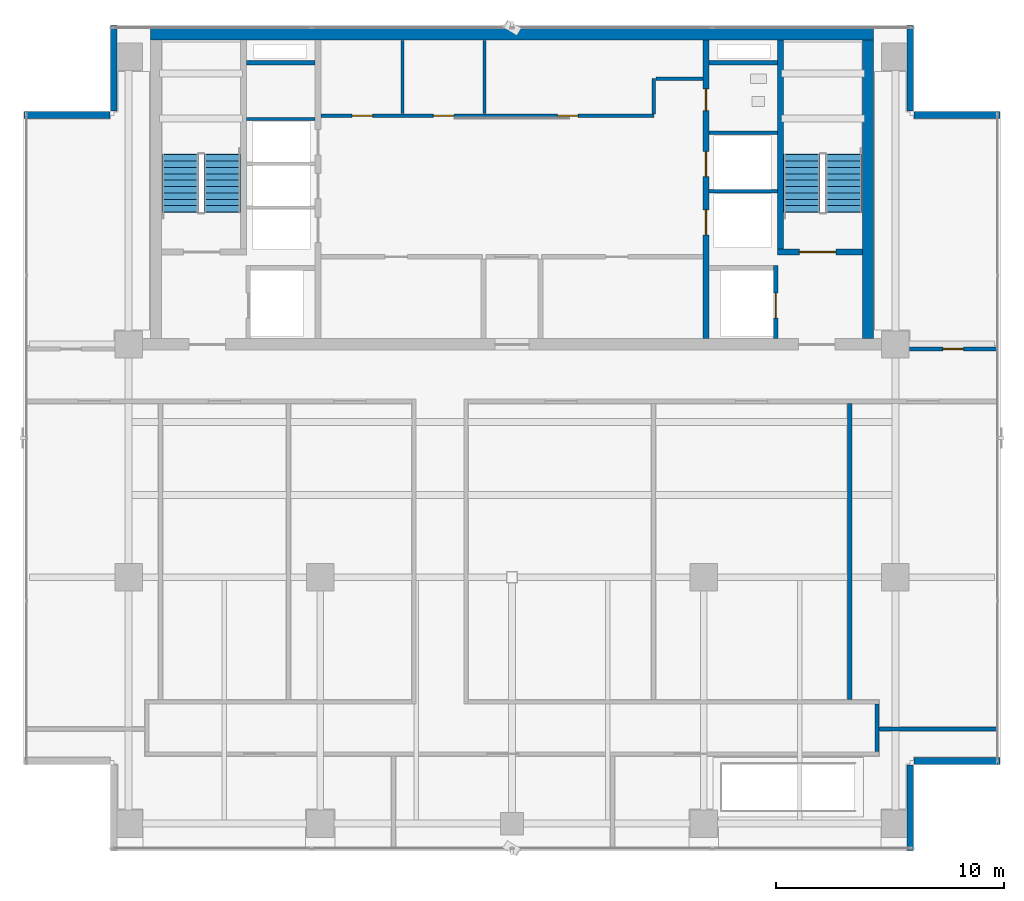
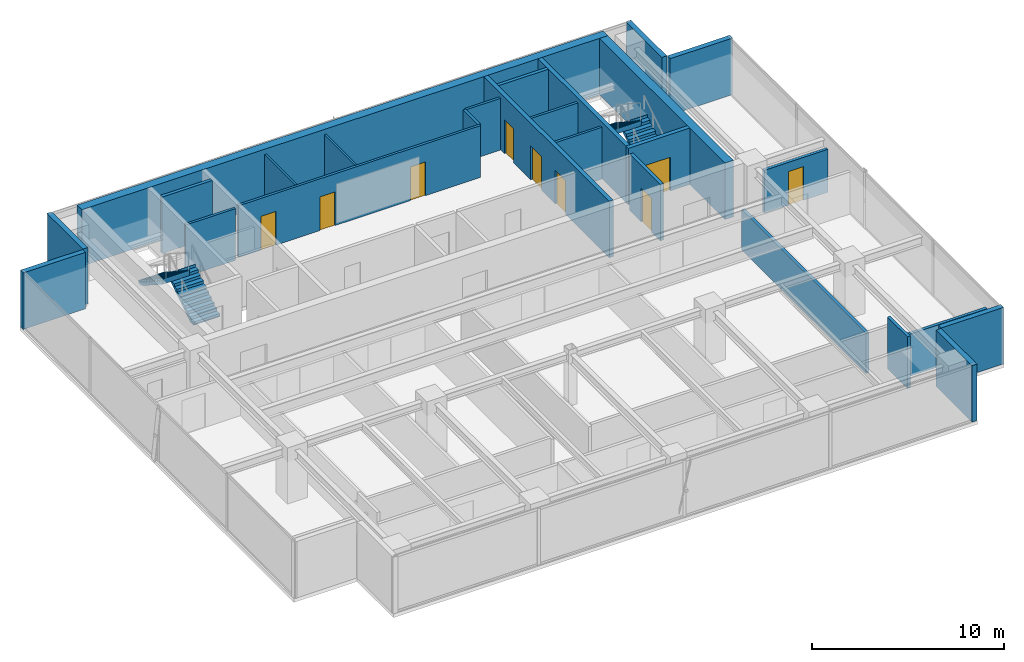
# One storey, part 16 of 21: 26 walls, 9 doors, 4 stair flights, 9 openings, 2 elements without a shape of their own.
"""IFC4 building model written with IfcOpenShell, lengths in metres."""

from ifc_helpers import new_model, si_unit, direction, frame, frame_2d, origin, place, context, subcontext, project, spatial, polyline, rectangle, outline, extrude, source, transform, mapped, material, layer, layer_set, type_object, element, fill, aggregate, save


model = new_model("IFC4")

# Units and contexts
model_context = context("Model", 3, precision=1e-05, world=origin(), true_north=direction((0.0, 1.0)))
body_context = subcontext(model_context, "Body", "Model", "MODEL_VIEW")
ifc_project = project(units=[si_unit("LENGTHUNIT", "METRE"), si_unit("AREAUNIT", "SQUARE_METRE"), si_unit("VOLUMEUNIT", "CUBIC_METRE"), si_unit("PLANEANGLEUNIT", "RADIAN"), si_unit("MASSUNIT", "GRAM", prefix="KILO")], contexts=[model_context])

# Site, building, storey
site_placement = place(None, origin())
site = spatial("IfcSite", under=ifc_project, at=site_placement, CompositionType="ELEMENT")
building_placement = place(site_placement, origin())
building = spatial("IfcBuilding", under=site, at=building_placement, Name="Sumidabori Civic Tower", CompositionType="ELEMENT")
storey_placement = place(building_placement, frame((0.0, 0.0, 290.0)))
storey = spatial("IfcBuildingStorey", under=building, at=storey_placement, Name="L76", CompositionType="ELEMENT", Elevation=290.0)

# Walls
ifc_material_1 = material(Name="Concrete C50/60", Category="concrete")
ifc_layer_1 = layer(ifc_material_1, 0.199951171875, Name="Concrete C50/60")
ifc_layer_set_1 = layer_set([ifc_layer_1], Name="Concrete C50/60")
wall_type_1 = type_object("IfcWallType", Name="WL-SHAFT-200", PredefinedType="SHEAR", material=ifc_layer_set_1)
shared_shape_1 = source(origin(), body_context, "Body", "SweptSolid", [
    extrude(rectangle(XDim=3.02001953125, YDim=0.199951171875, at=frame_2d((1.510009765625, 0.0))), origin(), (0.0, 0.0, 1.0), 3.60009765625),
])
for number, where, z_axis, x_axis, name in (
    (1, (-11.64501953125, 22.550048828125, 0.0), (0.0, 0.0, 1.0), (1.0, 0.0, 0.0), "Core Shear Wall L76 RIS1-S"),
    (2, (8.625, 22.550048828125, 0.0), (0.0, 0.0, 1.0), (1.0, 0.0, 0.0), "Core Shear Wall L76 RIS2-S"),
):
    element("IfcWall", number, at=place(storey_placement, frame(where, z_axis=z_axis, x_axis=x_axis)), inside=storey, type_object=wall_type_1, Name=name, PredefinedType="SHEAR", context=body_context, shape_type="MappedRepresentation", body=[
        mapped(shared_shape_1, transform((0.0, 0.0, 0.0), x_axis=(1.0, 0.0, 0.0), y_axis=(0.0, 1.0, 0.0), z_axis=(0.0, 0.0, 1.0), scale=1.0)),
    ])
ifc_layer_2 = layer(ifc_material_1, 0.5, Name="Concrete C50/60")
ifc_layer_set_2 = layer_set([ifc_layer_2], Name="Concrete C50/60")
wall_type_2 = type_object("IfcWallType", Name="WL-CORE-500", PredefinedType="SHEAR", material=ifc_layer_set_2)
shared_shape_2 = source(origin(), body_context, "Body", "SweptSolid", [
    extrude(rectangle(XDim=31.7001953125, YDim=0.5, at=frame_2d((15.85009765625, 0.0))), origin(), (0.0, 0.0, 1.0), 3.60009765625),
])
wall_1_placement = place(storey_placement, frame((-15.85009765625, 23.800048828125, 0.0), z_axis=(0.0, 0.0, 1.0), x_axis=(1.0, 0.0, 0.0)))
element("IfcWall", 3, at=wall_1_placement, inside=storey, type_object=wall_type_2, Name="Core Shear Wall L76 N", PredefinedType="SHEAR", context=body_context, shape_type="MappedRepresentation", body=[
    mapped(shared_shape_2, transform((0.0, 0.0, 0.0), x_axis=(1.0, 0.0, 0.0), y_axis=(0.0, 1.0, 0.0), z_axis=(0.0, 0.0, 1.0), scale=1.0)),
])
shared_shape_3 = source(origin(), body_context, "Body", "SweptSolid", [
    extrude(rectangle(XDim=13.10009765625, YDim=0.5, at=frame_2d((6.550048828125, 0.0))), origin(), (0.0, 0.0, 1.0), 3.60009765625),
])
wall_2_placement = place(storey_placement, frame((15.60009765625, 10.449951171875, 0.0), z_axis=(0.0, 0.0, 1.0), x_axis=(0.0, 1.0, 0.0)))
element("IfcWall", 4, at=wall_2_placement, inside=storey, type_object=wall_type_2, Name="Core Shear Wall L76 E", PredefinedType="SHEAR", context=body_context, shape_type="MappedRepresentation", body=[
    mapped(shared_shape_3, transform((0.0, 0.0, 0.0), x_axis=(1.0, 0.0, 0.0), y_axis=(0.0, 1.0, 0.0), z_axis=(0.0, 0.0, 1.0), scale=1.0)),
])

# Wall, openings, doors
ifc_layer_3 = layer(ifc_material_1, 0.25, Name="Concrete C50/60")
ifc_layer_set_3 = layer_set([ifc_layer_3], Name="Concrete C50/60")
wall_type_3 = type_object("IfcWallType", Name="WL-SHAFT-250", PredefinedType="SHEAR", material=ifc_layer_set_3)
shared_shape_4 = source(origin(), body_context, "Body", "SweptSolid", [
    extrude(rectangle(XDim=13.10009765625, YDim=0.25, at=frame_2d((6.550048828125, 0.0))), origin(), (0.0, 0.0, 1.0), 3.60009765625),
])
wall_3_placement = place(storey_placement, frame((8.5, 10.449951171875, 0.0), z_axis=(0.0, 0.0, 1.0), x_axis=(0.0, 1.0, 0.0)))
wall_3 = element("IfcWall", 5, at=wall_3_placement, inside=storey, type_object=wall_type_3, Name="Core Shear Wall L76 WEB-E", PredefinedType="SHEAR", context=body_context, shape_type="MappedRepresentation", body=[
    mapped(shared_shape_4, transform((0.0, 0.0, 0.0), x_axis=(1.0, 0.0, 0.0), y_axis=(0.0, 1.0, 0.0), z_axis=(0.0, 0.0, 1.0), scale=1.0)),
])
opening_1_placement = place(wall_3_placement, frame((4.550048828125, 0.0, 0.0)))
opening_1 = element("IfcOpeningElement", 6, at=opening_1_placement, cuts=wall_3, Name="Opening LD-1", PredefinedType="OPENING", context=body_context, shape_type="SweptSolid", body=[
    extrude(rectangle(XDim=1.10009765625, YDim=2.14990234375, at=frame_2d((0.550048828125, 1.074951171875))), frame((0.0, 0.136962890625, 0.0), z_axis=(0.0, -1.0, 0.0), x_axis=(1.0, 0.0, 0.0)), (0.0, 0.0, 1.0), 0.27392578125),
])
opening_2_placement = place(wall_3_placement, frame((7.10009765625, 0.0, 0.0)))
opening_2 = element("IfcOpeningElement", 7, at=opening_2_placement, cuts=wall_3, Name="Opening LD-1", PredefinedType="OPENING", context=body_context, shape_type="SweptSolid", body=[
    extrude(rectangle(XDim=1.10009765625, YDim=2.14990234375, at=frame_2d((0.550048828125, 1.074951171875))), frame((0.0, 0.136962890625, 0.0), z_axis=(0.0, -1.0, 0.0), x_axis=(1.0, 0.0, 0.0)), (0.0, 0.0, 1.0), 0.27392578125),
])
opening_3_placement = place(wall_3_placement, frame((10.0, 0.0, 0.0)))
opening_3 = element("IfcOpeningElement", 8, at=opening_3_placement, cuts=wall_3, Name="Opening DR-2", PredefinedType="OPENING", context=body_context, shape_type="SweptSolid", body=[
    extrude(rectangle(XDim=0.949951171875, YDim=2.14990234375, at=frame_2d((0.47509765625, 1.074951171875))), frame((0.0, 0.136962890625, 0.0), z_axis=(0.0, -1.0, 0.0), x_axis=(1.0, 0.0, 0.0)), (0.0, 0.0, 1.0), 0.27392578125),
])
ifc_material_2 = material(Name="Stainless Steel Hairline Finish", Category="steel")
door_type_1 = type_object("IfcDoorType", Name="DR-LD1", OperationType="DOUBLE_DOOR_SLIDING", PredefinedType="DOOR", material=ifc_material_2)
shared_shape_5 = source(origin(), body_context, "Body", "SweptSolid", [
    extrude(rectangle(XDim=1.10009765625, YDim=2.14990234375, at=frame_2d((0.550048828125, 1.074951171875))), frame((0.0, 0.02490234375, 0.0), z_axis=(0.0, -1.0, 0.0), x_axis=(1.0, 0.0, 0.0)), (0.0, 0.0, 1.0), 0.050048828125),
])
door_1_placement = place(opening_1_placement, origin())
door_1 = element("IfcDoor", 9, at=door_1_placement, inside=storey, type_object=door_type_1, Name="Door DR:L76:LD-OBS1", OperationType="DOUBLE_DOOR_SLIDING", OverallHeight=2.14990234375, OverallWidth=1.10009765625, PredefinedType="DOOR", context=body_context, shape_type="MappedRepresentation", body=[
    mapped(shared_shape_5, transform((0.0, 0.0, 0.0), x_axis=(1.0, 0.0, 0.0), y_axis=(0.0, 1.0, 0.0), z_axis=(0.0, 0.0, 1.0), scale=1.0)),
])
fill(opening_1, door_1)
door_2_placement = place(opening_2_placement, origin())
door_2 = element("IfcDoor", 10, at=door_2_placement, inside=storey, type_object=door_type_1, Name="Door DR:L76:LD-OBS2", OperationType="DOUBLE_DOOR_SLIDING", OverallHeight=2.14990234375, OverallWidth=1.10009765625, PredefinedType="DOOR", context=body_context, shape_type="MappedRepresentation", body=[
    mapped(shared_shape_5, transform((0.0, 0.0, 0.0), x_axis=(1.0, 0.0, 0.0), y_axis=(0.0, 1.0, 0.0), z_axis=(0.0, 0.0, 1.0), scale=1.0)),
])
fill(opening_2, door_2)
ifc_material_3 = material(Name="Japanese Hinoki Timber", Category="wood")
door_type_2 = type_object("IfcDoorType", Name="DR-INT-950", OperationType="NOTDEFINED", PredefinedType="DOOR", material=ifc_material_3)
shared_shape_6 = source(origin(), body_context, "Body", "SweptSolid", [
    extrude(rectangle(XDim=0.949951171875, YDim=2.14990234375, at=frame_2d((0.47509765625, 1.074951171875))), frame((0.0, 0.02490234375, 0.0), z_axis=(0.0, -1.0, 0.0), x_axis=(1.0, 0.0, 0.0)), (0.0, 0.0, 1.0), 0.050048828125),
])
door_3_placement = place(opening_3_placement, origin())
door_3 = element("IfcDoor", 11, at=door_3_placement, inside=storey, type_object=door_type_2, Name="Door DR:L76:WC-ACC", OperationType="SINGLE_SWING_RIGHT", OverallHeight=2.14990234375, OverallWidth=0.949951171875, PredefinedType="DOOR", context=body_context, shape_type="MappedRepresentation", body=[
    mapped(shared_shape_6, transform((0.0, 0.0, 0.0), x_axis=(1.0, 0.0, 0.0), y_axis=(0.0, 1.0, 0.0), z_axis=(0.0, 0.0, 1.0), scale=1.0)),
])
fill(opening_3, door_3)

# Wall, opening, door
shared_shape_7 = source(origin(), body_context, "Body", "SweptSolid", [
    extrude(rectangle(XDim=3.705078125, YDim=0.25, at=frame_2d((1.8525390625, 0.0))), origin(), (0.0, 0.0, 1.0), 3.60009765625),
])
wall_4_placement = place(storey_placement, frame((11.64501953125, 14.25, 0.0), z_axis=(0.0, 0.0, 1.0), x_axis=(1.0, 0.0, 0.0)))
wall_4 = element("IfcWall", 12, at=wall_4_placement, inside=storey, type_object=wall_type_3, Name="Core Shear Wall L76 ST2-S", PredefinedType="SHEAR", context=body_context, shape_type="MappedRepresentation", body=[
    mapped(shared_shape_7, transform((0.0, 0.0, 0.0), x_axis=(1.0, 0.0, 0.0), y_axis=(0.0, 1.0, 0.0), z_axis=(0.0, 0.0, 1.0), scale=1.0)),
])
opening_4_placement = place(wall_4_placement, frame((0.949951171875, 0.0, 0.0)))
opening_4 = element("IfcOpeningElement", 13, at=opening_4_placement, cuts=wall_4, Name="Opening DR-FD4", PredefinedType="OPENING", context=body_context, shape_type="SweptSolid", body=[
    extrude(rectangle(XDim=1.60009765625, YDim=2.14990234375, at=frame_2d((0.800048828125, 1.074951171875))), frame((0.0, 0.136962890625, 0.0), z_axis=(0.0, -1.0, 0.0), x_axis=(1.0, 0.0, 0.0)), (0.0, 0.0, 1.0), 0.27392578125),
])
ifc_material_4 = material(Name="Steel SN490", Category="steel")
door_type_3 = type_object("IfcDoorType", Name="DR-FD4", OperationType="DOUBLE_DOOR_SINGLE_SWING", PredefinedType="DOOR", material=ifc_material_4)
shared_shape_8 = source(origin(), body_context, "Body", "SweptSolid", [
    extrude(rectangle(XDim=1.60009765625, YDim=2.14990234375, at=frame_2d((0.800048828125, 1.074951171875))), frame((0.0, 0.02490234375, 0.0), z_axis=(0.0, -1.0, 0.0), x_axis=(1.0, 0.0, 0.0)), (0.0, 0.0, 1.0), 0.050048828125),
])
door_4_placement = place(opening_4_placement, origin())
door_4 = element("IfcDoor", 14, at=door_4_placement, inside=storey, type_object=door_type_3, Name="Door DR:L76:ST2", OperationType="DOUBLE_DOOR_SINGLE_SWING", OverallHeight=2.14990234375, OverallWidth=1.60009765625, PredefinedType="DOOR", context=body_context, shape_type="MappedRepresentation", body=[
    mapped(shared_shape_8, transform((0.0, 0.0, 0.0), x_axis=(1.0, 0.0, 0.0), y_axis=(0.0, 1.0, 0.0), z_axis=(0.0, 0.0, 1.0), scale=1.0)),
])
fill(opening_4, door_4)

# Wall
shared_shape_9 = source(origin(), body_context, "Body", "SweptSolid", [
    extrude(rectangle(XDim=9.175048828125, YDim=0.25, at=frame_2d((4.58740234375, 0.0))), origin(), (0.0, 0.0, 1.0), 3.60009765625),
])
wall_5_placement = place(storey_placement, frame((11.77001953125, 14.375, 0.0), z_axis=(0.0, 0.0, 1.0), x_axis=(0.0, 1.0, 0.0)))
element("IfcWall", 15, at=wall_5_placement, inside=storey, type_object=wall_type_3, Name="Core Shear Wall L76 ST2-W", PredefinedType="SHEAR", context=body_context, shape_type="MappedRepresentation", body=[
    mapped(shared_shape_9, transform((0.0, 0.0, 0.0), x_axis=(1.0, 0.0, 0.0), y_axis=(0.0, 1.0, 0.0), z_axis=(0.0, 0.0, 1.0), scale=1.0)),
])

# Wall, opening, door
shared_shape_10 = source(origin(), body_context, "Body", "SweptSolid", [
    extrude(rectangle(XDim=3.199951171875, YDim=0.199951171875, at=frame_2d((1.60009765625, 0.0))), origin(), (0.0, 0.0, 1.0), 3.60009765625),
])
wall_6_placement = place(storey_placement, frame((11.550048828125, 10.449951171875, 0.0), z_axis=(0.0, 0.0, 1.0), x_axis=(0.0, 1.0, 0.0)))
wall_6 = element("IfcWall", 16, at=wall_6_placement, inside=storey, type_object=wall_type_1, Name="Core Shear Wall L76 EL2-E", PredefinedType="SHEAR", context=body_context, shape_type="MappedRepresentation", body=[
    mapped(shared_shape_10, transform((0.0, 0.0, 0.0), x_axis=(1.0, 0.0, 0.0), y_axis=(0.0, 1.0, 0.0), z_axis=(0.0, 0.0, 1.0), scale=1.0)),
])
opening_5_placement = place(wall_6_placement, frame((0.89990234375, 0.0, 0.0)))
opening_5 = element("IfcOpeningElement", 17, at=opening_5_placement, cuts=wall_6, Name="Opening LD-2", PredefinedType="OPENING", context=body_context, shape_type="SweptSolid", body=[
    extrude(rectangle(XDim=1.10009765625, YDim=2.14990234375, at=frame_2d((0.550048828125, 1.074951171875))), frame((0.0, 0.11181640625, 0.0), z_axis=(0.0, -1.0, 0.0), x_axis=(1.0, 0.0, 0.0)), (0.0, 0.0, 1.0), 0.223876953125),
])
door_type_4 = type_object("IfcDoorType", Name="DR-LD2", OperationType="DOUBLE_DOOR_SLIDING", PredefinedType="DOOR", material=ifc_material_2)
door_5_placement = place(opening_5_placement, origin())
door_5 = element("IfcDoor", 18, at=door_5_placement, inside=storey, type_object=door_type_4, Name="Door DR:L76:LD-EL2", OperationType="DOUBLE_DOOR_SLIDING", OverallHeight=2.14990234375, OverallWidth=1.10009765625, PredefinedType="DOOR", context=body_context, shape_type="MappedRepresentation", body=[
    mapped(shared_shape_5, transform((0.0, 0.0, 0.0), x_axis=(1.0, 0.0, 0.0), y_axis=(0.0, 1.0, 0.0), z_axis=(0.0, 0.0, 1.0), scale=1.0)),
])
fill(opening_5, door_5)

# Walls
ifc_material_5 = material(Name="Precast concrete C40/50", Category="concrete")
ifc_layer_4 = layer(ifc_material_5, 0.300048828125, Name="Precast concrete C40/50")
ifc_layer_set_4 = layer_set([ifc_layer_4], Name="Precast concrete C40/50")
wall_type_4 = type_object("IfcWallType", Name="WL-EXT-POD300", PredefinedType="STANDARD", material=ifc_layer_set_4)
shared_shape_11 = source(origin(), body_context, "Body", "SweptSolid", [
    extrude(rectangle(XDim=3.760009765625, YDim=0.300048828125, at=frame_2d((1.8798828125, 0.0))), origin(), (0.0, 0.0, 1.0), 3.60009765625),
])
for number, where, z_axis, x_axis, name in (
    (19, (17.449951171875, -11.97998046875, 0.0), (0.0, 0.0, 1.0), (0.0, 1.0, 0.0), "Notched Corner Spandrel Band L76-02"),
    (20, (17.449951171875, 20.419921875, 0.0), (0.0, 0.0, 1.0), (0.0, 1.0, 0.0), "Notched Corner Spandrel Band L76-06"),
    (21, (-17.449951171875, 24.179931640625, 0.0), (0.0, 0.0, 1.0), (0.0, -1.0, 0.0), "Notched Corner Spandrel Band L76-08"),
):
    element("IfcWall", number, at=place(storey_placement, frame(where, z_axis=z_axis, x_axis=x_axis)), inside=storey, type_object=wall_type_4, Name=name, PredefinedType="STANDARD", context=body_context, shape_type="MappedRepresentation", body=[
        mapped(shared_shape_11, transform((0.0, 0.0, 0.0), x_axis=(1.0, 0.0, 0.0), y_axis=(0.0, 1.0, 0.0), z_axis=(0.0, 0.0, 1.0), scale=1.0)),
    ])
shared_shape_12 = source(origin(), body_context, "Body", "SweptSolid", [
    extrude(rectangle(XDim=3.759765625, YDim=0.300048828125, at=frame_2d((1.8798828125, 0.0))), origin(), (0.0, 0.0, 1.0), 3.60009765625),
])
for number, where, z_axis, x_axis, name in (
    (22, (17.6201171875, -8.050048828125, 0.0), (0.0, 0.0, 1.0), (1.0, 0.0, 0.0), "Notched Corner Spandrel Band L76-03"),
    (23, (21.3798828125, 20.25, 0.0), (0.0, 0.0, 1.0), (-1.0, 0.0, 0.0), "Notched Corner Spandrel Band L76-05"),
    (24, (-17.6201171875, 20.25, 0.0), (0.0, 0.0, 1.0), (-1.0, 0.0, 0.0), "Notched Corner Spandrel Band L76-09"),
):
    element("IfcWall", number, at=place(storey_placement, frame(where, z_axis=z_axis, x_axis=x_axis)), inside=storey, type_object=wall_type_4, Name=name, PredefinedType="STANDARD", context=body_context, shape_type="MappedRepresentation", body=[
        mapped(shared_shape_12, transform((0.0, 0.0, 0.0), x_axis=(1.0, 0.0, 0.0), y_axis=(0.0, 1.0, 0.0), z_axis=(0.0, 0.0, 1.0), scale=1.0)),
    ])
ifc_material_6 = material(Name="Gypsum Plasterboard Acoustic Partition")
ifc_layer_5 = layer(ifc_material_6, 0.14990234375, Name="Gypsum Plasterboard Acoustic Partition")
ifc_layer_set_5 = layer_set([ifc_layer_5], Name="Gypsum Plasterboard Acoustic Partition")
wall_type_5 = type_object("IfcWallType", Name="WL-PART-150", PredefinedType="PARTITIONING", material=ifc_layer_set_5)
shared_shape_13 = source(origin(), body_context, "Body", "SweptSolid", [
    extrude(rectangle(XDim=3.010009765625, YDim=0.14990234375, at=frame_2d((1.5048828125, 0.0))), origin(), (0.0, 0.0, 1.0), 3.300048828125),
])
for number, where, z_axis, x_axis, name in (
    (25, (-11.639892578125, 20.080078125, 0.0), (0.0, 0.0, 1.0), (1.0, 0.0, 0.0), "Interior Partition WL:L76:DIV-PLH3"),
    (26, (8.6298828125, 16.919921875, 0.0), (0.0, 0.0, 1.0), (1.0, 0.0, 0.0), "Interior Partition WL:L76:DIV-OBS1"),
    (27, (8.6298828125, 19.469970703125, 0.0), (0.0, 0.0, 1.0), (1.0, 0.0, 0.0), "Interior Partition WL:L76:DIV-OBS2"),
):
    element("IfcWall", number, at=place(storey_placement, frame(where, z_axis=z_axis, x_axis=x_axis)), inside=storey, type_object=wall_type_5, Name=name, PredefinedType="PARTITIONING", context=body_context, shape_type="MappedRepresentation", body=[
        mapped(shared_shape_13, transform((0.0, 0.0, 0.0), x_axis=(1.0, 0.0, 0.0), y_axis=(0.0, 1.0, 0.0), z_axis=(0.0, 0.0, 1.0), scale=1.0)),
    ])

# Wall, openings, doors
shared_shape_14 = source(origin(), body_context, "Body", "SweptSolid", [
    extrude(rectangle(XDim=14.590087890625, YDim=0.14990234375, at=frame_2d((7.294921875, 0.0))), origin(), (0.0, 0.0, 1.0), 3.300048828125),
])
wall_7_placement = place(storey_placement, frame((-8.3701171875, 20.219970703125, 0.0), z_axis=(0.0, 0.0, 1.0), x_axis=(1.0, 0.0, 0.0)))
wall_7 = element("IfcWall", 28, at=wall_7_placement, inside=storey, type_object=wall_type_5, Name="Interior Partition WL:L76:CBAND-M", PredefinedType="PARTITIONING", context=body_context, shape_type="MappedRepresentation", body=[
    mapped(shared_shape_14, transform((0.0, 0.0, 0.0), x_axis=(1.0, 0.0, 0.0), y_axis=(0.0, 1.0, 0.0), z_axis=(0.0, 0.0, 1.0), scale=1.0)),
])
opening_6_placement = place(wall_7_placement, frame((1.360107421875, 0.0, 0.0)))
opening_6 = element("IfcOpeningElement", 29, at=opening_6_placement, cuts=wall_7, Name="Opening DR-1", PredefinedType="OPENING", context=body_context, shape_type="SweptSolid", body=[
    extrude(rectangle(XDim=0.89990234375, YDim=2.14990234375, at=frame_2d((0.449951171875, 1.074951171875))), frame((0.0, 0.0869140625, 0.0), z_axis=(0.0, -1.0, 0.0), x_axis=(1.0, 0.0, 0.0)), (0.0, 0.0, 1.0), 0.173828125),
])
opening_7_placement = place(wall_7_placement, frame((4.919921875, 0.0, 0.0)))
opening_7 = element("IfcOpeningElement", 30, at=opening_7_placement, cuts=wall_7, Name="Opening DR-1", PredefinedType="OPENING", context=body_context, shape_type="SweptSolid", body=[
    extrude(rectangle(XDim=0.89990234375, YDim=2.14990234375, at=frame_2d((0.449951171875, 1.074951171875))), frame((0.0, 0.0869140625, 0.0), z_axis=(0.0, -1.0, 0.0), x_axis=(1.0, 0.0, 0.0)), (0.0, 0.0, 1.0), 0.173828125),
])
opening_8_placement = place(wall_7_placement, frame((10.3701171875, 0.0, 0.0)))
opening_8 = element("IfcOpeningElement", 31, at=opening_8_placement, cuts=wall_7, Name="Opening DR-1", PredefinedType="OPENING", context=body_context, shape_type="SweptSolid", body=[
    extrude(rectangle(XDim=0.89990234375, YDim=2.14990234375, at=frame_2d((0.449951171875, 1.074951171875))), frame((0.0, 0.0869140625, 0.0), z_axis=(0.0, -1.0, 0.0), x_axis=(1.0, 0.0, 0.0)), (0.0, 0.0, 1.0), 0.173828125),
])
door_type_5 = type_object("IfcDoorType", Name="DR-INT-900", OperationType="NOTDEFINED", PredefinedType="DOOR", material=ifc_material_3)
shared_shape_15 = source(origin(), body_context, "Body", "SweptSolid", [
    extrude(rectangle(XDim=0.89990234375, YDim=2.14990234375, at=frame_2d((0.449951171875, 1.074951171875))), frame((0.0, 0.02490234375, 0.0), z_axis=(0.0, -1.0, 0.0), x_axis=(1.0, 0.0, 0.0)), (0.0, 0.0, 1.0), 0.050048828125),
])
door_6_placement = place(opening_6_placement, origin())
door_6 = element("IfcDoor", 32, at=door_6_placement, inside=storey, type_object=door_type_5, Name="Door DR:L76:CB-1", OperationType="SINGLE_SWING_LEFT", OverallHeight=2.14990234375, OverallWidth=0.89990234375, PredefinedType="DOOR", context=body_context, shape_type="MappedRepresentation", body=[
    mapped(shared_shape_15, transform((0.0, 0.0, 0.0), x_axis=(1.0, 0.0, 0.0), y_axis=(0.0, 1.0, 0.0), z_axis=(0.0, 0.0, 1.0), scale=1.0)),
])
fill(opening_6, door_6)
door_7_placement = place(opening_7_placement, origin())
door_7 = element("IfcDoor", 33, at=door_7_placement, inside=storey, type_object=door_type_5, Name="Door DR:L76:CB-2", OperationType="SINGLE_SWING_RIGHT", OverallHeight=2.14990234375, OverallWidth=0.89990234375, PredefinedType="DOOR", context=body_context, shape_type="MappedRepresentation", body=[
    mapped(shared_shape_15, transform((0.0, 0.0, 0.0), x_axis=(1.0, 0.0, 0.0), y_axis=(0.0, 1.0, 0.0), z_axis=(0.0, 0.0, 1.0), scale=1.0)),
])
fill(opening_7, door_7)
door_8_placement = place(opening_8_placement, origin())
door_8 = element("IfcDoor", 34, at=door_8_placement, inside=storey, type_object=door_type_5, Name="Door DR:L76:CB-3", OperationType="SINGLE_SWING_LEFT", OverallHeight=2.14990234375, OverallWidth=0.89990234375, PredefinedType="DOOR", context=body_context, shape_type="MappedRepresentation", body=[
    mapped(shared_shape_15, transform((0.0, 0.0, 0.0), x_axis=(1.0, 0.0, 0.0), y_axis=(0.0, 1.0, 0.0), z_axis=(0.0, 0.0, 1.0), scale=1.0)),
])
fill(opening_8, door_8)

# Walls
shared_shape_16 = source(origin(), body_context, "Body", "SweptSolid", [
    extrude(rectangle(XDim=1.550048828125, YDim=0.14990234375, at=frame_2d((0.77490234375, 0.0))), origin(), (0.0, 0.0, 1.0), 3.300048828125),
])
wall_8_placement = place(storey_placement, frame((6.219970703125, 20.300048828125, 0.0), z_axis=(0.0, 0.0, 1.0), x_axis=(0.0, 1.0, 0.0)))
element("IfcWall", 35, at=wall_8_placement, inside=storey, type_object=wall_type_5, Name="Interior Partition WL:L76:CBAND-ME1", PredefinedType="PARTITIONING", context=body_context, shape_type="MappedRepresentation", body=[
    mapped(shared_shape_16, transform((0.0, 0.0, 0.0), x_axis=(1.0, 0.0, 0.0), y_axis=(0.0, 1.0, 0.0), z_axis=(0.0, 0.0, 1.0), scale=1.0)),
])
shared_shape_17 = source(origin(), body_context, "Body", "SweptSolid", [
    extrude(rectangle(XDim=2.070068359375, YDim=0.14990234375, at=frame_2d((1.03515625, 0.0))), origin(), (0.0, 0.0, 1.0), 3.300048828125),
])
wall_9_placement = place(storey_placement, frame((6.300048828125, 21.85009765625, 0.0), z_axis=(0.0, 0.0, 1.0), x_axis=(1.0, 0.0, 0.0)))
element("IfcWall", 36, at=wall_9_placement, inside=storey, type_object=wall_type_5, Name="Interior Partition WL:L76:CBAND-ME2", PredefinedType="PARTITIONING", context=body_context, shape_type="MappedRepresentation", body=[
    mapped(shared_shape_17, transform((0.0, 0.0, 0.0), x_axis=(1.0, 0.0, 0.0), y_axis=(0.0, 1.0, 0.0), z_axis=(0.0, 0.0, 1.0), scale=1.0)),
])
ifc_layer_6 = layer(ifc_material_6, 0.179931640625, Name="Gypsum Plasterboard Acoustic Partition")
ifc_layer_set_6 = layer_set([ifc_layer_6], Name="Gypsum Plasterboard Acoustic Partition")
wall_type_6 = type_object("IfcWallType", Name="WL-PART-180", PredefinedType="PARTITIONING", material=ifc_layer_set_6)
shared_shape_18 = source(origin(), body_context, "Body", "SweptSolid", [
    extrude(rectangle(XDim=2.090087890625, YDim=0.179931640625, at=frame_2d((1.044921875, 0.0))), origin(), (0.0, 0.0, 1.0), 3.300048828125),
])
wall_10_placement = place(storey_placement, frame((15.989990234375, -7.64501953125, 0.0), z_axis=(0.0, 0.0, 1.0), x_axis=(0.0, 1.0, 0.0)))
element("IfcWall", 37, at=wall_10_placement, inside=storey, type_object=wall_type_6, Name="Interior Partition WL:L76:CORR-VSE", PredefinedType="PARTITIONING", context=body_context, shape_type="MappedRepresentation", body=[
    mapped(shared_shape_18, transform((0.0, 0.0, 0.0), x_axis=(1.0, 0.0, 0.0), y_axis=(0.0, 1.0, 0.0), z_axis=(0.0, 0.0, 1.0), scale=1.0)),
])
ifc_layer_7 = layer(ifc_material_6, 0.1201171875, Name="Gypsum Plasterboard Acoustic Partition")
ifc_layer_set_7 = layer_set([ifc_layer_7], Name="Gypsum Plasterboard Acoustic Partition")
wall_type_7 = type_object("IfcWallType", Name="WL-PART-120", PredefinedType="PARTITIONING", material=ifc_layer_set_7)
shared_shape_19 = source(origin(), body_context, "Body", "SweptSolid", [
    extrude(rectangle(XDim=3.18994140625, YDim=0.1201171875, at=frame_2d((1.594970703125, 0.0))), origin(), (0.0, 0.0, 1.0), 3.300048828125),
])
for number, where, z_axis, x_axis, name in (
    (38, (-4.800048828125, 20.320068359375, 0.0), (0.0, 0.0, 1.0), (0.0, 1.0, 0.0), "Interior Partition WL:L76:LV8-S1"),
    (39, (-1.199951171875, 20.320068359375, 0.0), (0.0, 0.0, 1.0), (0.0, 1.0, 0.0), "Interior Partition WL:L76:LV8-S2"),
):
    element("IfcWall", number, at=place(storey_placement, frame(where, z_axis=z_axis, x_axis=x_axis)), inside=storey, type_object=wall_type_7, Name=name, PredefinedType="PARTITIONING", context=body_context, shape_type="MappedRepresentation", body=[
        mapped(shared_shape_19, transform((0.0, 0.0, 0.0), x_axis=(1.0, 0.0, 0.0), y_axis=(0.0, 1.0, 0.0), z_axis=(0.0, 0.0, 1.0), scale=1.0)),
    ])

# Wall, opening, door
shared_shape_20 = source(origin(), body_context, "Body", "SweptSolid", [
    extrude(rectangle(XDim=3.840087890625, YDim=0.179931640625, at=frame_2d((1.919921875, 0.0))), origin(), (0.0, 0.0, 1.0), 2.735107421875),
])
wall_11_placement = place(storey_placement, frame((17.409912109375, 10.0, 0.0), z_axis=(0.0, 0.0, 1.0), x_axis=(1.0, 0.0, 0.0)))
wall_11 = element("IfcWall", 40, at=wall_11_placement, inside=storey, type_object=wall_type_6, Name="Interior Partition WL:L76:FLK-NE", PredefinedType="PARTITIONING", context=body_context, shape_type="MappedRepresentation", body=[
    mapped(shared_shape_20, transform((0.0, 0.0, 0.0), x_axis=(1.0, 0.0, 0.0), y_axis=(0.0, 1.0, 0.0), z_axis=(0.0, 0.0, 1.0), scale=1.0)),
])
opening_9_placement = place(wall_11_placement, frame((1.469970703125, 0.0, 0.0)))
opening_9 = element("IfcOpeningElement", 41, at=opening_9_placement, cuts=wall_11, Name="Opening DR-1", PredefinedType="OPENING", context=body_context, shape_type="SweptSolid", body=[
    extrude(rectangle(XDim=0.89990234375, YDim=2.14990234375, at=frame_2d((0.449951171875, 1.074951171875))), frame((0.0, 0.10205078125, 0.0), z_axis=(0.0, -1.0, 0.0), x_axis=(1.0, 0.0, 0.0)), (0.0, 0.0, 1.0), 0.203857421875),
])
door_9_placement = place(opening_9_placement, origin())
door_9 = element("IfcDoor", 42, at=door_9_placement, inside=storey, type_object=door_type_5, Name="Door DR:L76:FLK-NE", OperationType="SINGLE_SWING_RIGHT", OverallHeight=2.14990234375, OverallWidth=0.89990234375, PredefinedType="DOOR", context=body_context, shape_type="MappedRepresentation", body=[
    mapped(shared_shape_15, transform((0.0, 0.0, 0.0), x_axis=(1.0, 0.0, 0.0), y_axis=(0.0, 1.0, 0.0), z_axis=(0.0, 0.0, 1.0), scale=1.0)),
])
fill(opening_9, door_9)

# Walls
shared_shape_21 = source(origin(), body_context, "Body", "SweptSolid", [
    extrude(rectangle(XDim=5.1650390625, YDim=0.179931640625, at=frame_2d((2.58251953125, 0.0))), origin(), (0.0, 0.0, 1.0), 2.68505859375),
])
wall_12_placement = place(storey_placement, frame((16.0849609375, -6.64990234375, 0.0), z_axis=(0.0, 0.0, 1.0), x_axis=(1.0, 0.0, 0.0)))
element("IfcWall", 43, at=wall_12_placement, inside=storey, type_object=wall_type_6, Name="Interior Partition WL:L76:BAND-Y-2", PredefinedType="PARTITIONING", context=body_context, shape_type="MappedRepresentation", body=[
    mapped(shared_shape_21, transform((0.0, 0.0, 0.0), x_axis=(1.0, 0.0, 0.0), y_axis=(0.0, 1.0, 0.0), z_axis=(0.0, 0.0, 1.0), scale=1.0)),
])
shared_shape_22 = source(origin(), body_context, "Body", "SweptSolid", [
    extrude(rectangle(XDim=12.97998046875, YDim=0.179931640625, at=frame_2d((6.489990234375, 0.0))), origin(), (0.0, 0.0, 1.0), 2.5849609375),
])
wall_13_placement = place(storey_placement, frame((14.800048828125, -5.364990234375, 0.0), z_axis=(0.0, 0.0, 1.0), x_axis=(0.0, 1.0, 0.0)))
element("IfcWall", 44, at=wall_13_placement, inside=storey, type_object=wall_type_6, Name="Interior Partition WL:L76:VX-N4", PredefinedType="PARTITIONING", context=body_context, shape_type="MappedRepresentation", body=[
    mapped(shared_shape_22, transform((0.0, 0.0, 0.0), x_axis=(1.0, 0.0, 0.0), y_axis=(0.0, 1.0, 0.0), z_axis=(0.0, 0.0, 1.0), scale=1.0)),
])

# Stair, stair flights
ifc_material_7 = material(Name="Concrete C40/50", Category="concrete")
stair_type = type_object("IfcStairType", Name="ST-CORE-1600", PredefinedType="HALF_TURN_STAIR", material=ifc_material_7)
stair_1_placement = place(storey_placement, origin())
stair_1 = element("IfcStair", 45, at=stair_1_placement, inside=storey, type_object=stair_type, Name="L76 ST-1", PredefinedType="HALF_TURN_STAIR")
stair_flight_type = type_object("IfcStairFlightType", Name="SF-CORE-1600", PredefinedType="STRAIGHT", material=ifc_material_7)
shared_shape_23 = source(origin(), body_context, "Body", "SweptSolid", [
    extrude(outline(polyline([(-0.02490234375, 0.0), (-0.02490234375, 0.0400390625), (0.0, 0.0400390625), (0.0, 0.179931640625), (0.280029296875, 0.179931640625), (0.280029296875, 0.360107421875), (0.56005859375, 0.360107421875), (0.56005859375, 0.5400390625), (0.840087890625, 0.5400390625), (0.840087890625, 0.719970703125), (1.1201171875, 0.719970703125), (1.1201171875, 0.89990234375), (1.39990234375, 0.89990234375), (1.39990234375, 1.080078125), (1.679931640625, 1.080078125), (1.679931640625, 1.260009765625), (1.9599609375, 1.260009765625), (1.9599609375, 1.43994140625), (2.239990234375, 1.43994140625), (2.239990234375, 1.6201171875), (2.52001953125, 1.6201171875), (2.52001953125, 1.800048828125), (2.544921875, 1.800048828125), (2.544921875, 1.650146484375), (2.52001953125, 1.44189453125), (0.277099609375, 0.0), (-0.02490234375, 0.0)])), frame((0.0, 0.800048828125, 0.0), z_axis=(0.0, -1.0, 0.0), x_axis=(1.0, 0.0, 0.0)), (0.0, 0.0, 1.0), 1.60009765625),
])
stair_flight_1_placement = place(storey_placement, frame((-12.699951171875, 16.0, 0.0), z_axis=(0.0, 0.0, 1.0), x_axis=(0.0, 1.0, 0.0)))
stair_flight_1 = element("IfcStairFlight", 46, at=stair_flight_1_placement, type_object=stair_flight_type, Name="ST-1 flight 1", NumberOfRisers=10, NumberOfTreads=9, PredefinedType="STRAIGHT", RiserHeight=0.18, TreadLength=0.28, context=body_context, shape_type="MappedRepresentation", body=[
    mapped(shared_shape_23, transform((0.0, 0.0, 0.0), x_axis=(1.0, 0.0, 0.0), y_axis=(0.0, 1.0, 0.0), z_axis=(0.0, 0.0, 1.0), scale=1.0)),
])
stair_flight_2_placement = place(storey_placement, frame((-14.5400390625, 18.52001953125, 1.800048828125), z_axis=(0.0, 0.0, 1.0), x_axis=(0.0, -1.0, 0.0)))
stair_flight_2 = element("IfcStairFlight", 47, at=stair_flight_2_placement, type_object=stair_flight_type, Name="ST-1 flight 2", NumberOfRisers=10, NumberOfTreads=9, PredefinedType="STRAIGHT", RiserHeight=0.18, TreadLength=0.28, context=body_context, shape_type="MappedRepresentation", body=[
    mapped(shared_shape_23, transform((0.0, 0.0, 0.0), x_axis=(1.0, 0.0, 0.0), y_axis=(0.0, 1.0, 0.0), z_axis=(0.0, 0.0, 1.0), scale=1.0)),
])
aggregate(stair_1, [stair_flight_1, stair_flight_2])

stair_2_placement = place(storey_placement, origin())
stair_2 = element("IfcStair", 48, at=stair_2_placement, inside=storey, type_object=stair_type, Name="L76 ST-2", PredefinedType="HALF_TURN_STAIR")
stair_flight_3_placement = place(storey_placement, frame((14.5400390625, 16.0, 0.0), z_axis=(0.0, 0.0, 1.0), x_axis=(0.0, 1.0, 0.0)))
stair_flight_3 = element("IfcStairFlight", 49, at=stair_flight_3_placement, type_object=stair_flight_type, Name="ST-2 flight 1", NumberOfRisers=10, NumberOfTreads=9, PredefinedType="STRAIGHT", RiserHeight=0.18, TreadLength=0.28, context=body_context, shape_type="MappedRepresentation", body=[
    mapped(shared_shape_23, transform((0.0, 0.0, 0.0), x_axis=(1.0, 0.0, 0.0), y_axis=(0.0, 1.0, 0.0), z_axis=(0.0, 0.0, 1.0), scale=1.0)),
])
stair_flight_4_placement = place(storey_placement, frame((12.699951171875, 18.52001953125, 1.800048828125), z_axis=(0.0, 0.0, 1.0), x_axis=(0.0, -1.0, 0.0)))
stair_flight_4 = element("IfcStairFlight", 50, at=stair_flight_4_placement, type_object=stair_flight_type, Name="ST-2 flight 2", NumberOfRisers=10, NumberOfTreads=9, PredefinedType="STRAIGHT", RiserHeight=0.18, TreadLength=0.28, context=body_context, shape_type="MappedRepresentation", body=[
    mapped(shared_shape_23, transform((0.0, 0.0, 0.0), x_axis=(1.0, 0.0, 0.0), y_axis=(0.0, 1.0, 0.0), z_axis=(0.0, 0.0, 1.0), scale=1.0)),
])
aggregate(stair_2, [stair_flight_3, stair_flight_4])

save(model, "model.ifc")
